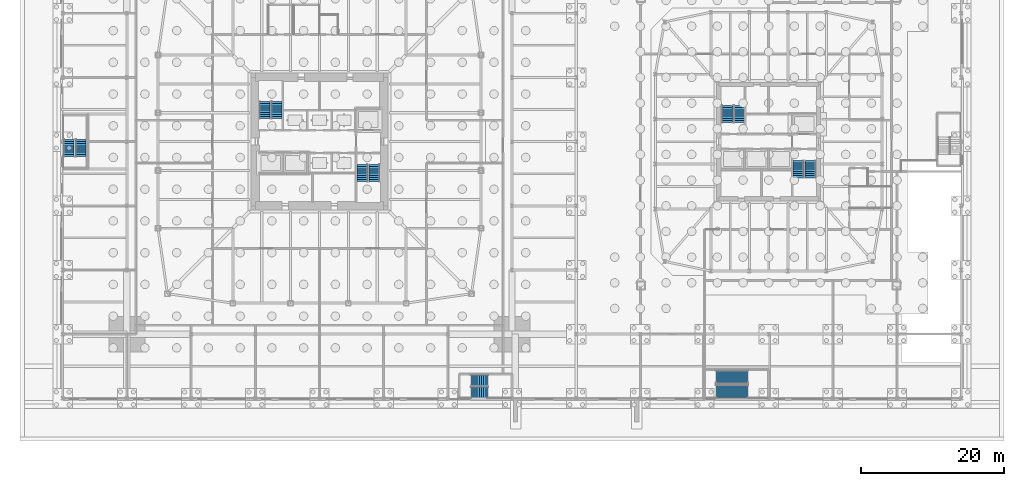
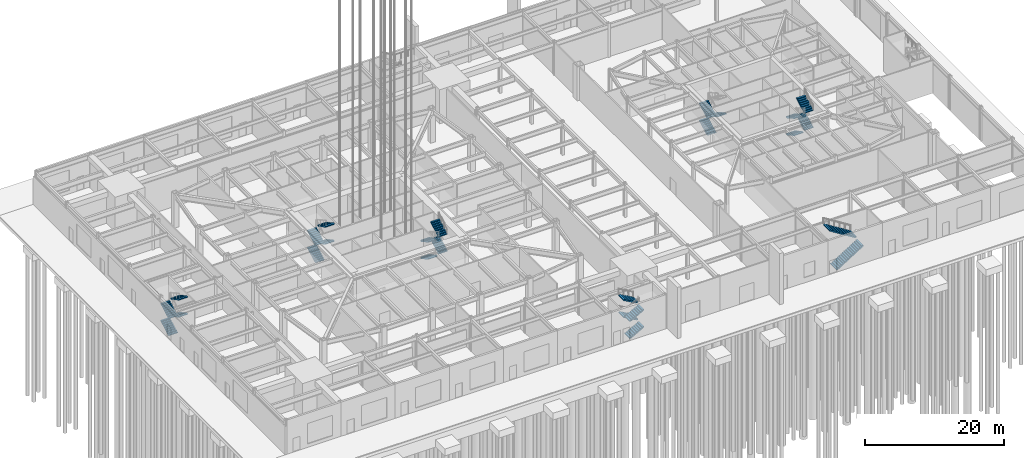
# One storey, part 21 of 37: 25 stair flights, 7 elements without a shape of their own.
"""IFC4 building model written with IfcOpenShell, lengths in metres."""

from ifc_helpers import new_model, si_unit, direction, frame, origin, place, context, subcontext, project, spatial, polyline, outline, extrude, material, constituent, constituent_set, type_object, element, aggregate, save


model = new_model("IFC4")

# Units and contexts
model_context = context("Model", 3, precision=1e-05, world=origin(), true_north=direction((0.0, 1.0)))
body_context = subcontext(model_context, "Body", "Model", "MODEL_VIEW")
ifc_project = project(units=[si_unit("LENGTHUNIT", "METRE"), si_unit("AREAUNIT", "SQUARE_METRE"), si_unit("VOLUMEUNIT", "CUBIC_METRE"), si_unit("PLANEANGLEUNIT", "RADIAN"), si_unit("MASSUNIT", "GRAM", prefix="KILO")], contexts=[model_context])

# Site, building, storey
site_placement = place(None, origin())
site = spatial("IfcSite", under=ifc_project, at=site_placement, CompositionType="ELEMENT")
building_placement = place(site_placement, origin())
building = spatial("IfcBuilding", under=site, at=building_placement, Name="Iwan Alto Co-Living Towers", CompositionType="ELEMENT")
storey_placement = place(building_placement, origin())
storey = spatial("IfcBuildingStorey", under=building, at=storey_placement, Name="L00", CompositionType="ELEMENT", Elevation=0.0)

# Stair, stair flights
ifc_material_1 = material(Name="Steel ASTM A36", Category="steel")
ifc_constituent_1 = constituent(ifc_material_1, Name="Stringers", Category="LoadBearing")
ifc_material_2 = material(Name="Concrete f'c 30 MPa", Category="concrete")
ifc_constituent_2 = constituent(ifc_material_2, Name="Tread fill", Category="Finish")
ifc_constituent_set_1 = constituent_set(constituents=[ifc_constituent_1, ifc_constituent_2], Name="STAIR 6000 TWO-FLIGHT PODIUM 1800 WIDE")
stair_type_1 = type_object("IfcStairType", Name="STAIR 6000 TWO-FLIGHT PODIUM 1800 WIDE", PredefinedType="HALF_TURN_STAIR", material=ifc_constituent_set_1)
stair_1_placement = place(storey_placement, origin())
stair_1 = element("IfcStair", 1, at=stair_1_placement, inside=storey, type_object=stair_type_1, Name="Stair PS6 L00 to L01", PredefinedType="HALF_TURN_STAIR")
ifc_constituent_3 = constituent(ifc_material_1, Name="Stringers", Category="LoadBearing")
ifc_constituent_4 = constituent(ifc_material_2, Name="Tread fill", Category="Finish")
ifc_constituent_set_2 = constituent_set(constituents=[ifc_constituent_3, ifc_constituent_4], Name="STAIR FLIGHT 17 RISERS 280 GOING 1800 WIDE")
stair_flight_type_1 = type_object("IfcStairFlightType", Name="STAIR FLIGHT 17 RISERS 280 GOING 1800 WIDE", PredefinedType="STRAIGHT", material=ifc_constituent_set_2)
stair_flight_1_placement = place(storey_placement, frame((55.6201171875, -34.97998046875, 0.0), z_axis=(0.0, 0.0, 1.0), x_axis=(1.0, 0.0, 0.0)))
stair_flight_1 = element("IfcStairFlight", 2, at=stair_flight_1_placement, type_object=stair_flight_type_1, Name="PS6 flight 1", NumberOfRisers=17, NumberOfTreads=16, PredefinedType="STRAIGHT", RiserHeight=0.176471, TreadLength=0.28, context=body_context, shape_type="SweptSolid", body=[
    extrude(outline(polyline([(0.0, 0.0), (0.0, 0.176513671875), (0.280029296875, 0.176513671875), (0.280029296875, 0.35302734375), (0.56005859375, 0.35302734375), (0.56005859375, 0.529296875), (0.840087890625, 0.529296875), (0.840087890625, 0.705810546875), (1.1201171875, 0.705810546875), (1.1201171875, 0.88232421875), (1.39990234375, 0.88232421875), (1.39990234375, 1.058837890625), (1.679931640625, 1.058837890625), (1.679931640625, 1.2353515625), (1.9599609375, 1.2353515625), (1.9599609375, 1.411865234375), (2.239990234375, 1.411865234375), (2.239990234375, 1.588134765625), (2.52001953125, 1.588134765625), (2.52001953125, 1.7646484375), (2.800048828125, 1.7646484375), (2.800048828125, 1.941162109375), (3.080078125, 1.941162109375), (3.080078125, 2.11767578125), (3.360107421875, 2.11767578125), (3.360107421875, 2.294189453125), (3.639892578125, 2.294189453125), (3.639892578125, 2.470703125), (3.919921875, 2.470703125), (3.919921875, 2.64697265625), (4.199951171875, 2.64697265625), (4.199951171875, 2.823486328125), (4.47998046875, 2.823486328125), (4.47998046875, 3.0), (4.47998046875, 2.646240234375), (0.28125, 0.0), (0.0, 0.0)])), frame((0.0, 0.89990234375, 0.0), z_axis=(0.0, -1.0, 0.0), x_axis=(1.0, 0.0, 0.0)), (0.0, 0.0, 1.0), 1.800048828125),
])
stair_flight_2_placement = place(storey_placement, frame((60.10009765625, -32.97998046875, 3.0), z_axis=(0.0, 0.0, 1.0), x_axis=(-1.0, 0.0, 0.0)))
stair_flight_2 = element("IfcStairFlight", 3, at=stair_flight_2_placement, type_object=stair_flight_type_1, Name="PS6 flight 2", NumberOfRisers=17, NumberOfTreads=16, PredefinedType="STRAIGHT", RiserHeight=0.176471, TreadLength=0.28, context=body_context, shape_type="SweptSolid", body=[
    extrude(outline(polyline([(0.0, 0.0), (0.0, 0.176513671875), (0.280029296875, 0.176513671875), (0.280029296875, 0.35302734375), (0.56005859375, 0.35302734375), (0.56005859375, 0.529296875), (0.840087890625, 0.529296875), (0.840087890625, 0.705810546875), (1.1201171875, 0.705810546875), (1.1201171875, 0.88232421875), (1.39990234375, 0.88232421875), (1.39990234375, 1.058837890625), (1.679931640625, 1.058837890625), (1.679931640625, 1.2353515625), (1.9599609375, 1.2353515625), (1.9599609375, 1.411865234375), (2.239990234375, 1.411865234375), (2.239990234375, 1.588134765625), (2.52001953125, 1.588134765625), (2.52001953125, 1.7646484375), (2.800048828125, 1.7646484375), (2.800048828125, 1.941162109375), (3.080078125, 1.941162109375), (3.080078125, 2.11767578125), (3.360107421875, 2.11767578125), (3.360107421875, 2.294189453125), (3.639892578125, 2.294189453125), (3.639892578125, 2.470703125), (3.919921875, 2.470703125), (3.919921875, 2.64697265625), (4.199951171875, 2.64697265625), (4.199951171875, 2.823486328125), (4.47998046875, 2.823486328125), (4.47998046875, 3.0), (4.47998046875, 2.646240234375), (0.28125, 0.0), (0.0, 0.0)])), frame((0.0, 0.89990234375, 0.0), z_axis=(0.0, -1.0, 0.0), x_axis=(1.0, 0.0, 0.0)), (0.0, 0.0, 1.0), 1.800048828125),
])
aggregate(stair_1, [stair_flight_1, stair_flight_2])

ifc_constituent_5 = constituent(ifc_material_1, Name="Stringers", Category="LoadBearing")
ifc_constituent_6 = constituent(ifc_material_2, Name="Tread fill", Category="Finish")
ifc_constituent_set_3 = constituent_set(constituents=[ifc_constituent_5, ifc_constituent_6], Name="STAIR 6000 FOUR-FLIGHT PODIUM")
stair_type_2 = type_object("IfcStairType", Name="STAIR 6000 FOUR-FLIGHT PODIUM", PredefinedType="HALF_TURN_STAIR", material=ifc_constituent_set_3)
stair_2_placement = place(storey_placement, origin())
stair_2 = element("IfcStair", 4, at=stair_2_placement, inside=storey, type_object=stair_type_2, Name="Stair PS1 L00 to L01", PredefinedType="HALF_TURN_STAIR")
ifc_constituent_7 = constituent(ifc_material_1, Name="Stringers", Category="LoadBearing")
ifc_constituent_8 = constituent(ifc_material_2, Name="Tread fill", Category="Finish")
ifc_constituent_set_4 = constituent_set(constituents=[ifc_constituent_7, ifc_constituent_8], Name="STAIR FLIGHT 9 RISERS 300 GOING")
stair_flight_type_2 = type_object("IfcStairFlightType", Name="STAIR FLIGHT 9 RISERS 300 GOING", PredefinedType="STRAIGHT", material=ifc_constituent_set_4)
stair_flight_3_placement = place(storey_placement, frame((-35.139892578125, -2.080078125, 0.0), z_axis=(0.0, 0.0, 1.0), x_axis=(0.0, 1.0, 0.0)))
stair_flight_3 = element("IfcStairFlight", 5, at=stair_flight_3_placement, type_object=stair_flight_type_2, Name="PS1 flight 1", NumberOfRisers=9, NumberOfTreads=8, PredefinedType="STRAIGHT", RiserHeight=0.166667, TreadLength=0.3, context=body_context, shape_type="SweptSolid", body=[
    extrude(outline(polyline([(0.0, 0.0), (0.0, 0.166748046875), (0.300048828125, 0.166748046875), (0.300048828125, 0.333251953125), (0.60009765625, 0.333251953125), (0.60009765625, 0.5), (0.89990234375, 0.5), (0.89990234375, 0.666748046875), (1.199951171875, 0.666748046875), (1.199951171875, 0.833251953125), (1.5, 0.833251953125), (1.5, 1.0), (1.800048828125, 1.0), (1.800048828125, 1.166748046875), (2.10009765625, 1.166748046875), (2.10009765625, 1.333251953125), (2.39990234375, 1.333251953125), (2.39990234375, 1.5), (2.39990234375, 1.161865234375), (0.30859375, 0.0), (0.0, 0.0)])), frame((0.0, 0.739990234375, 0.0), z_axis=(0.0, -1.0, 0.0), x_axis=(1.0, 0.0, 0.0)), (0.0, 0.0, 1.0), 1.47998046875),
])
stair_flight_4_placement = place(storey_placement, frame((-33.4599609375, 0.320068359375, 1.5), z_axis=(0.0, 0.0, 1.0), x_axis=(0.0, -1.0, 0.0)))
stair_flight_4 = element("IfcStairFlight", 6, at=stair_flight_4_placement, type_object=stair_flight_type_2, Name="PS1 flight 2", NumberOfRisers=9, NumberOfTreads=8, PredefinedType="STRAIGHT", RiserHeight=0.166667, TreadLength=0.3, context=body_context, shape_type="SweptSolid", body=[
    extrude(outline(polyline([(0.0, 0.0), (0.0, 0.166748046875), (0.300048828125, 0.166748046875), (0.300048828125, 0.333251953125), (0.60009765625, 0.333251953125), (0.60009765625, 0.5), (0.89990234375, 0.5), (0.89990234375, 0.666748046875), (1.199951171875, 0.666748046875), (1.199951171875, 0.833251953125), (1.5, 0.833251953125), (1.5, 1.0), (1.800048828125, 1.0), (1.800048828125, 1.166748046875), (2.10009765625, 1.166748046875), (2.10009765625, 1.333251953125), (2.39990234375, 1.333251953125), (2.39990234375, 1.5), (2.39990234375, 1.161865234375), (0.30859375, 0.0), (0.0, 0.0)])), frame((0.0, 0.739990234375, 0.0), z_axis=(0.0, -1.0, 0.0), x_axis=(1.0, 0.0, 0.0)), (0.0, 0.0, 1.0), 1.47998046875),
])
stair_flight_5_placement = place(storey_placement, frame((-35.139892578125, -2.080078125, 3.0), z_axis=(0.0, 0.0, 1.0), x_axis=(0.0, 1.0, 0.0)))
stair_flight_5 = element("IfcStairFlight", 7, at=stair_flight_5_placement, type_object=stair_flight_type_2, Name="PS1 flight 3", NumberOfRisers=9, NumberOfTreads=8, PredefinedType="STRAIGHT", RiserHeight=0.166667, TreadLength=0.3, context=body_context, shape_type="SweptSolid", body=[
    extrude(outline(polyline([(0.0, 0.0), (0.0, 0.166748046875), (0.300048828125, 0.166748046875), (0.300048828125, 0.333251953125), (0.60009765625, 0.333251953125), (0.60009765625, 0.5), (0.89990234375, 0.5), (0.89990234375, 0.666748046875), (1.199951171875, 0.666748046875), (1.199951171875, 0.833251953125), (1.5, 0.833251953125), (1.5, 1.0), (1.800048828125, 1.0), (1.800048828125, 1.166748046875), (2.10009765625, 1.166748046875), (2.10009765625, 1.333251953125), (2.39990234375, 1.333251953125), (2.39990234375, 1.5), (2.39990234375, 1.161865234375), (0.30859375, 0.0), (0.0, 0.0)])), frame((0.0, 0.739990234375, 0.0), z_axis=(0.0, -1.0, 0.0), x_axis=(1.0, 0.0, 0.0)), (0.0, 0.0, 1.0), 1.47998046875),
])
stair_flight_6_placement = place(storey_placement, frame((-33.4599609375, 0.320068359375, 4.5), z_axis=(0.0, 0.0, 1.0), x_axis=(0.0, -1.0, 0.0)))
stair_flight_6 = element("IfcStairFlight", 8, at=stair_flight_6_placement, type_object=stair_flight_type_2, Name="PS1 flight 4", NumberOfRisers=9, NumberOfTreads=8, PredefinedType="STRAIGHT", RiserHeight=0.166667, TreadLength=0.3, context=body_context, shape_type="SweptSolid", body=[
    extrude(outline(polyline([(0.0, 0.0), (0.0, 0.166748046875), (0.300048828125, 0.166748046875), (0.300048828125, 0.333251953125), (0.60009765625, 0.333251953125), (0.60009765625, 0.5), (0.89990234375, 0.5), (0.89990234375, 0.666748046875), (1.199951171875, 0.666748046875), (1.199951171875, 0.833251953125), (1.5, 0.833251953125), (1.5, 1.0), (1.800048828125, 1.0), (1.800048828125, 1.166748046875), (2.10009765625, 1.166748046875), (2.10009765625, 1.333251953125), (2.39990234375, 1.333251953125), (2.39990234375, 1.5), (2.39990234375, 1.161865234375), (0.30859375, 0.0), (0.0, 0.0)])), frame((0.0, 0.739990234375, 0.0), z_axis=(0.0, -1.0, 0.0), x_axis=(1.0, 0.0, 0.0)), (0.0, 0.0, 1.0), 1.47998046875),
])
aggregate(stair_2, [stair_flight_3, stair_flight_4, stair_flight_5, stair_flight_6])

stair_3_placement = place(storey_placement, origin())
stair_3 = element("IfcStair", 9, at=stair_3_placement, inside=storey, type_object=stair_type_2, Name="Stair PS4 L00 to L01", PredefinedType="HALF_TURN_STAIR")
stair_flight_7_placement = place(storey_placement, frame((21.219970703125, -35.139892578125, 0.0), z_axis=(0.0, 0.0, 1.0), x_axis=(1.0, 0.0, 0.0)))
stair_flight_7 = element("IfcStairFlight", 10, at=stair_flight_7_placement, type_object=stair_flight_type_2, Name="PS4 flight 1", NumberOfRisers=9, NumberOfTreads=8, PredefinedType="STRAIGHT", RiserHeight=0.166667, TreadLength=0.3, context=body_context, shape_type="SweptSolid", body=[
    extrude(outline(polyline([(0.0, 0.0), (0.0, 0.166748046875), (0.300048828125, 0.166748046875), (0.300048828125, 0.333251953125), (0.60009765625, 0.333251953125), (0.60009765625, 0.5), (0.89990234375, 0.5), (0.89990234375, 0.666748046875), (1.199951171875, 0.666748046875), (1.199951171875, 0.833251953125), (1.5, 0.833251953125), (1.5, 1.0), (1.800048828125, 1.0), (1.800048828125, 1.166748046875), (2.10009765625, 1.166748046875), (2.10009765625, 1.333251953125), (2.39990234375, 1.333251953125), (2.39990234375, 1.5), (2.39990234375, 1.161865234375), (0.30859375, 0.0), (0.0, 0.0)])), frame((0.0, 0.739990234375, 0.0), z_axis=(0.0, -1.0, 0.0), x_axis=(1.0, 0.0, 0.0)), (0.0, 0.0, 1.0), 1.47998046875),
])
stair_flight_8_placement = place(storey_placement, frame((23.6201171875, -33.4599609375, 1.5), z_axis=(0.0, 0.0, 1.0), x_axis=(-1.0, 0.0, 0.0)))
stair_flight_8 = element("IfcStairFlight", 11, at=stair_flight_8_placement, type_object=stair_flight_type_2, Name="PS4 flight 2", NumberOfRisers=9, NumberOfTreads=8, PredefinedType="STRAIGHT", RiserHeight=0.166667, TreadLength=0.3, context=body_context, shape_type="SweptSolid", body=[
    extrude(outline(polyline([(0.0, 0.0), (0.0, 0.166748046875), (0.300048828125, 0.166748046875), (0.300048828125, 0.333251953125), (0.60009765625, 0.333251953125), (0.60009765625, 0.5), (0.89990234375, 0.5), (0.89990234375, 0.666748046875), (1.199951171875, 0.666748046875), (1.199951171875, 0.833251953125), (1.5, 0.833251953125), (1.5, 1.0), (1.800048828125, 1.0), (1.800048828125, 1.166748046875), (2.10009765625, 1.166748046875), (2.10009765625, 1.333251953125), (2.39990234375, 1.333251953125), (2.39990234375, 1.5), (2.39990234375, 1.161865234375), (0.30859375, 0.0), (0.0, 0.0)])), frame((0.0, 0.739990234375, 0.0), z_axis=(0.0, -1.0, 0.0), x_axis=(1.0, 0.0, 0.0)), (0.0, 0.0, 1.0), 1.47998046875),
])
stair_flight_9_placement = place(storey_placement, frame((21.219970703125, -35.139892578125, 3.0), z_axis=(0.0, 0.0, 1.0), x_axis=(1.0, 0.0, 0.0)))
stair_flight_9 = element("IfcStairFlight", 12, at=stair_flight_9_placement, type_object=stair_flight_type_2, Name="PS4 flight 3", NumberOfRisers=9, NumberOfTreads=8, PredefinedType="STRAIGHT", RiserHeight=0.166667, TreadLength=0.3, context=body_context, shape_type="SweptSolid", body=[
    extrude(outline(polyline([(0.0, 0.0), (0.0, 0.166748046875), (0.300048828125, 0.166748046875), (0.300048828125, 0.333251953125), (0.60009765625, 0.333251953125), (0.60009765625, 0.5), (0.89990234375, 0.5), (0.89990234375, 0.666748046875), (1.199951171875, 0.666748046875), (1.199951171875, 0.833251953125), (1.5, 0.833251953125), (1.5, 1.0), (1.800048828125, 1.0), (1.800048828125, 1.166748046875), (2.10009765625, 1.166748046875), (2.10009765625, 1.333251953125), (2.39990234375, 1.333251953125), (2.39990234375, 1.5), (2.39990234375, 1.161865234375), (0.30859375, 0.0), (0.0, 0.0)])), frame((0.0, 0.739990234375, 0.0), z_axis=(0.0, -1.0, 0.0), x_axis=(1.0, 0.0, 0.0)), (0.0, 0.0, 1.0), 1.47998046875),
])
stair_flight_10_placement = place(storey_placement, frame((23.6201171875, -33.4599609375, 4.5), z_axis=(0.0, 0.0, 1.0), x_axis=(-1.0, 0.0, 0.0)))
stair_flight_10 = element("IfcStairFlight", 13, at=stair_flight_10_placement, type_object=stair_flight_type_2, Name="PS4 flight 4", NumberOfRisers=9, NumberOfTreads=8, PredefinedType="STRAIGHT", RiserHeight=0.166667, TreadLength=0.3, context=body_context, shape_type="SweptSolid", body=[
    extrude(outline(polyline([(0.0, 0.0), (0.0, 0.166748046875), (0.300048828125, 0.166748046875), (0.300048828125, 0.333251953125), (0.60009765625, 0.333251953125), (0.60009765625, 0.5), (0.89990234375, 0.5), (0.89990234375, 0.666748046875), (1.199951171875, 0.666748046875), (1.199951171875, 0.833251953125), (1.5, 0.833251953125), (1.5, 1.0), (1.800048828125, 1.0), (1.800048828125, 1.166748046875), (2.10009765625, 1.166748046875), (2.10009765625, 1.333251953125), (2.39990234375, 1.333251953125), (2.39990234375, 1.5), (2.39990234375, 1.161865234375), (0.30859375, 0.0), (0.0, 0.0)])), frame((0.0, 0.739990234375, 0.0), z_axis=(0.0, -1.0, 0.0), x_axis=(1.0, 0.0, 0.0)), (0.0, 0.0, 1.0), 1.47998046875),
])
aggregate(stair_3, [stair_flight_7, stair_flight_8, stair_flight_9, stair_flight_10])

ifc_constituent_9 = constituent(ifc_material_1, Name="Stringers", Category="LoadBearing")
ifc_constituent_10 = constituent(ifc_material_2, Name="Tread fill", Category="Finish")
ifc_constituent_set_5 = constituent_set(constituents=[ifc_constituent_9, ifc_constituent_10], Name="STAIR 6000 FOUR-FLIGHT T1 CORE")
stair_type_3 = type_object("IfcStairType", Name="STAIR 6000 FOUR-FLIGHT T1 CORE", PredefinedType="HALF_TURN_STAIR", material=ifc_constituent_set_5)
stair_4_placement = place(storey_placement, origin())
stair_4 = element("IfcStair", 14, at=stair_4_placement, inside=storey, type_object=stair_type_3, Name="Stair T1-S1 L00 to L01", PredefinedType="HALF_TURN_STAIR")
stair_flight_11_placement = place(storey_placement, frame((-7.68994140625, 3.219970703125, 0.0), z_axis=(0.0, 0.0, 1.0), x_axis=(0.0, 1.0, 0.0)))
stair_flight_11 = element("IfcStairFlight", 15, at=stair_flight_11_placement, type_object=stair_flight_type_2, Name="T1-S1 flight 1", NumberOfRisers=9, NumberOfTreads=8, PredefinedType="STRAIGHT", RiserHeight=0.166667, TreadLength=0.3, context=body_context, shape_type="SweptSolid", body=[
    extrude(outline(polyline([(0.0, 0.0), (0.0, 0.166748046875), (0.300048828125, 0.166748046875), (0.300048828125, 0.333251953125), (0.60009765625, 0.333251953125), (0.60009765625, 0.5), (0.89990234375, 0.5), (0.89990234375, 0.666748046875), (1.199951171875, 0.666748046875), (1.199951171875, 0.833251953125), (1.5, 0.833251953125), (1.5, 1.0), (1.800048828125, 1.0), (1.800048828125, 1.166748046875), (2.10009765625, 1.166748046875), (2.10009765625, 1.333251953125), (2.39990234375, 1.333251953125), (2.39990234375, 1.5), (2.39990234375, 1.161865234375), (0.30859375, 0.0), (0.0, 0.0)])), frame((0.0, 0.739990234375, 0.0), z_axis=(0.0, -1.0, 0.0), x_axis=(1.0, 0.0, 0.0)), (0.0, 0.0, 1.0), 1.47998046875),
])
stair_flight_12_placement = place(storey_placement, frame((-6.010009765625, 5.6201171875, 1.5), z_axis=(0.0, 0.0, 1.0), x_axis=(0.0, -1.0, 0.0)))
stair_flight_12 = element("IfcStairFlight", 16, at=stair_flight_12_placement, type_object=stair_flight_type_2, Name="T1-S1 flight 2", NumberOfRisers=9, NumberOfTreads=8, PredefinedType="STRAIGHT", RiserHeight=0.166667, TreadLength=0.3, context=body_context, shape_type="SweptSolid", body=[
    extrude(outline(polyline([(0.0, 0.0), (0.0, 0.166748046875), (0.300048828125, 0.166748046875), (0.300048828125, 0.333251953125), (0.60009765625, 0.333251953125), (0.60009765625, 0.5), (0.89990234375, 0.5), (0.89990234375, 0.666748046875), (1.199951171875, 0.666748046875), (1.199951171875, 0.833251953125), (1.5, 0.833251953125), (1.5, 1.0), (1.800048828125, 1.0), (1.800048828125, 1.166748046875), (2.10009765625, 1.166748046875), (2.10009765625, 1.333251953125), (2.39990234375, 1.333251953125), (2.39990234375, 1.5), (2.39990234375, 1.161865234375), (0.30859375, 0.0), (0.0, 0.0)])), frame((0.0, 0.739990234375, 0.0), z_axis=(0.0, -1.0, 0.0), x_axis=(1.0, 0.0, 0.0)), (0.0, 0.0, 1.0), 1.47998046875),
])
stair_flight_13_placement = place(storey_placement, frame((-7.68994140625, 3.219970703125, 3.0), z_axis=(0.0, 0.0, 1.0), x_axis=(0.0, 1.0, 0.0)))
stair_flight_13 = element("IfcStairFlight", 17, at=stair_flight_13_placement, type_object=stair_flight_type_2, Name="T1-S1 flight 3", NumberOfRisers=9, NumberOfTreads=8, PredefinedType="STRAIGHT", RiserHeight=0.166667, TreadLength=0.3, context=body_context, shape_type="SweptSolid", body=[
    extrude(outline(polyline([(0.0, 0.0), (0.0, 0.166748046875), (0.300048828125, 0.166748046875), (0.300048828125, 0.333251953125), (0.60009765625, 0.333251953125), (0.60009765625, 0.5), (0.89990234375, 0.5), (0.89990234375, 0.666748046875), (1.199951171875, 0.666748046875), (1.199951171875, 0.833251953125), (1.5, 0.833251953125), (1.5, 1.0), (1.800048828125, 1.0), (1.800048828125, 1.166748046875), (2.10009765625, 1.166748046875), (2.10009765625, 1.333251953125), (2.39990234375, 1.333251953125), (2.39990234375, 1.5), (2.39990234375, 1.161865234375), (0.30859375, 0.0), (0.0, 0.0)])), frame((0.0, 0.739990234375, 0.0), z_axis=(0.0, -1.0, 0.0), x_axis=(1.0, 0.0, 0.0)), (0.0, 0.0, 1.0), 1.47998046875),
])
stair_flight_14_placement = place(storey_placement, frame((-6.010009765625, 5.6201171875, 4.5), z_axis=(0.0, 0.0, 1.0), x_axis=(0.0, -1.0, 0.0)))
stair_flight_14 = element("IfcStairFlight", 18, at=stair_flight_14_placement, type_object=stair_flight_type_2, Name="T1-S1 flight 4", NumberOfRisers=9, NumberOfTreads=8, PredefinedType="STRAIGHT", RiserHeight=0.166667, TreadLength=0.3, context=body_context, shape_type="SweptSolid", body=[
    extrude(outline(polyline([(0.0, 0.0), (0.0, 0.166748046875), (0.300048828125, 0.166748046875), (0.300048828125, 0.333251953125), (0.60009765625, 0.333251953125), (0.60009765625, 0.5), (0.89990234375, 0.5), (0.89990234375, 0.666748046875), (1.199951171875, 0.666748046875), (1.199951171875, 0.833251953125), (1.5, 0.833251953125), (1.5, 1.0), (1.800048828125, 1.0), (1.800048828125, 1.166748046875), (2.10009765625, 1.166748046875), (2.10009765625, 1.333251953125), (2.39990234375, 1.333251953125), (2.39990234375, 1.5), (2.39990234375, 1.161865234375), (0.30859375, 0.0), (0.0, 0.0)])), frame((0.0, 0.739990234375, 0.0), z_axis=(0.0, -1.0, 0.0), x_axis=(1.0, 0.0, 0.0)), (0.0, 0.0, 1.0), 1.47998046875),
])
aggregate(stair_4, [stair_flight_11, stair_flight_12, stair_flight_13, stair_flight_14])

stair_5_placement = place(storey_placement, origin())
stair_5 = element("IfcStair", 19, at=stair_5_placement, inside=storey, type_object=stair_type_3, Name="Stair T1-S2 L00 to L01", PredefinedType="HALF_TURN_STAIR")
stair_flight_15_placement = place(storey_placement, frame((6.010009765625, -3.219970703125, 0.0), z_axis=(0.0, 0.0, 1.0), x_axis=(0.0, -1.0, 0.0)))
stair_flight_15 = element("IfcStairFlight", 20, at=stair_flight_15_placement, type_object=stair_flight_type_2, Name="T1-S2 flight 1", NumberOfRisers=9, NumberOfTreads=8, PredefinedType="STRAIGHT", RiserHeight=0.166667, TreadLength=0.3, context=body_context, shape_type="SweptSolid", body=[
    extrude(outline(polyline([(0.0, 0.0), (0.0, 0.166748046875), (0.300048828125, 0.166748046875), (0.300048828125, 0.333251953125), (0.60009765625, 0.333251953125), (0.60009765625, 0.5), (0.89990234375, 0.5), (0.89990234375, 0.666748046875), (1.199951171875, 0.666748046875), (1.199951171875, 0.833251953125), (1.5, 0.833251953125), (1.5, 1.0), (1.800048828125, 1.0), (1.800048828125, 1.166748046875), (2.10009765625, 1.166748046875), (2.10009765625, 1.333251953125), (2.39990234375, 1.333251953125), (2.39990234375, 1.5), (2.39990234375, 1.161865234375), (0.30859375, 0.0), (0.0, 0.0)])), frame((0.0, 0.739990234375, 0.0), z_axis=(0.0, -1.0, 0.0), x_axis=(1.0, 0.0, 0.0)), (0.0, 0.0, 1.0), 1.47998046875),
])
stair_flight_16_placement = place(storey_placement, frame((7.68994140625, -5.6201171875, 1.5), z_axis=(0.0, 0.0, 1.0), x_axis=(0.0, 1.0, 0.0)))
stair_flight_16 = element("IfcStairFlight", 21, at=stair_flight_16_placement, type_object=stair_flight_type_2, Name="T1-S2 flight 2", NumberOfRisers=9, NumberOfTreads=8, PredefinedType="STRAIGHT", RiserHeight=0.166667, TreadLength=0.3, context=body_context, shape_type="SweptSolid", body=[
    extrude(outline(polyline([(0.0, 0.0), (0.0, 0.166748046875), (0.300048828125, 0.166748046875), (0.300048828125, 0.333251953125), (0.60009765625, 0.333251953125), (0.60009765625, 0.5), (0.89990234375, 0.5), (0.89990234375, 0.666748046875), (1.199951171875, 0.666748046875), (1.199951171875, 0.833251953125), (1.5, 0.833251953125), (1.5, 1.0), (1.800048828125, 1.0), (1.800048828125, 1.166748046875), (2.10009765625, 1.166748046875), (2.10009765625, 1.333251953125), (2.39990234375, 1.333251953125), (2.39990234375, 1.5), (2.39990234375, 1.161865234375), (0.30859375, 0.0), (0.0, 0.0)])), frame((0.0, 0.739990234375, 0.0), z_axis=(0.0, -1.0, 0.0), x_axis=(1.0, 0.0, 0.0)), (0.0, 0.0, 1.0), 1.47998046875),
])
stair_flight_17_placement = place(storey_placement, frame((6.010009765625, -3.219970703125, 3.0), z_axis=(0.0, 0.0, 1.0), x_axis=(0.0, -1.0, 0.0)))
stair_flight_17 = element("IfcStairFlight", 22, at=stair_flight_17_placement, type_object=stair_flight_type_2, Name="T1-S2 flight 3", NumberOfRisers=9, NumberOfTreads=8, PredefinedType="STRAIGHT", RiserHeight=0.166667, TreadLength=0.3, context=body_context, shape_type="SweptSolid", body=[
    extrude(outline(polyline([(0.0, 0.0), (0.0, 0.166748046875), (0.300048828125, 0.166748046875), (0.300048828125, 0.333251953125), (0.60009765625, 0.333251953125), (0.60009765625, 0.5), (0.89990234375, 0.5), (0.89990234375, 0.666748046875), (1.199951171875, 0.666748046875), (1.199951171875, 0.833251953125), (1.5, 0.833251953125), (1.5, 1.0), (1.800048828125, 1.0), (1.800048828125, 1.166748046875), (2.10009765625, 1.166748046875), (2.10009765625, 1.333251953125), (2.39990234375, 1.333251953125), (2.39990234375, 1.5), (2.39990234375, 1.161865234375), (0.30859375, 0.0), (0.0, 0.0)])), frame((0.0, 0.739990234375, 0.0), z_axis=(0.0, -1.0, 0.0), x_axis=(1.0, 0.0, 0.0)), (0.0, 0.0, 1.0), 1.47998046875),
])
stair_flight_18_placement = place(storey_placement, frame((7.68994140625, -5.6201171875, 4.5), z_axis=(0.0, 0.0, 1.0), x_axis=(0.0, 1.0, 0.0)))
stair_flight_18 = element("IfcStairFlight", 23, at=stair_flight_18_placement, type_object=stair_flight_type_2, Name="T1-S2 flight 4", NumberOfRisers=9, NumberOfTreads=8, PredefinedType="STRAIGHT", RiserHeight=0.166667, TreadLength=0.3, context=body_context, shape_type="SweptSolid", body=[
    extrude(outline(polyline([(0.0, 0.0), (0.0, 0.166748046875), (0.300048828125, 0.166748046875), (0.300048828125, 0.333251953125), (0.60009765625, 0.333251953125), (0.60009765625, 0.5), (0.89990234375, 0.5), (0.89990234375, 0.666748046875), (1.199951171875, 0.666748046875), (1.199951171875, 0.833251953125), (1.5, 0.833251953125), (1.5, 1.0), (1.800048828125, 1.0), (1.800048828125, 1.166748046875), (2.10009765625, 1.166748046875), (2.10009765625, 1.333251953125), (2.39990234375, 1.333251953125), (2.39990234375, 1.5), (2.39990234375, 1.161865234375), (0.30859375, 0.0), (0.0, 0.0)])), frame((0.0, 0.739990234375, 0.0), z_axis=(0.0, -1.0, 0.0), x_axis=(1.0, 0.0, 0.0)), (0.0, 0.0, 1.0), 1.47998046875),
])
aggregate(stair_5, [stair_flight_15, stair_flight_16, stair_flight_17, stair_flight_18])

ifc_constituent_11 = constituent(ifc_material_1, Name="Stringers", Category="LoadBearing")
ifc_constituent_12 = constituent(ifc_material_2, Name="Tread fill", Category="Finish")
ifc_constituent_set_6 = constituent_set(constituents=[ifc_constituent_11, ifc_constituent_12], Name="STAIR 6000 FOUR-FLIGHT T2 CORE")
stair_type_4 = type_object("IfcStairType", Name="STAIR 6000 FOUR-FLIGHT T2 CORE", PredefinedType="HALF_TURN_STAIR", material=ifc_constituent_set_6)
stair_6_placement = place(storey_placement, origin())
stair_6 = element("IfcStair", 24, at=stair_6_placement, inside=storey, type_object=stair_type_4, Name="Stair T2-S1 L00 to L01", PredefinedType="HALF_TURN_STAIR")
stair_flight_19_placement = place(storey_placement, frame((57.159912109375, 2.669921875, 0.0), z_axis=(0.0, 0.0, 1.0), x_axis=(0.0, 1.0, 0.0)))
stair_flight_19 = element("IfcStairFlight", 25, at=stair_flight_19_placement, type_object=stair_flight_type_2, Name="T2-S1 flight 1", NumberOfRisers=9, NumberOfTreads=8, PredefinedType="STRAIGHT", RiserHeight=0.166667, TreadLength=0.3, context=body_context, shape_type="SweptSolid", body=[
    extrude(outline(polyline([(0.0, 0.0), (0.0, 0.166748046875), (0.300048828125, 0.166748046875), (0.300048828125, 0.333251953125), (0.60009765625, 0.333251953125), (0.60009765625, 0.5), (0.89990234375, 0.5), (0.89990234375, 0.666748046875), (1.199951171875, 0.666748046875), (1.199951171875, 0.833251953125), (1.5, 0.833251953125), (1.5, 1.0), (1.800048828125, 1.0), (1.800048828125, 1.166748046875), (2.10009765625, 1.166748046875), (2.10009765625, 1.333251953125), (2.39990234375, 1.333251953125), (2.39990234375, 1.5), (2.39990234375, 1.161865234375), (0.30859375, 0.0), (0.0, 0.0)])), frame((0.0, 0.739990234375, 0.0), z_axis=(0.0, -1.0, 0.0), x_axis=(1.0, 0.0, 0.0)), (0.0, 0.0, 1.0), 1.47998046875),
])
stair_flight_20_placement = place(storey_placement, frame((58.840087890625, 5.070068359375, 1.5), z_axis=(0.0, 0.0, 1.0), x_axis=(0.0, -1.0, 0.0)))
stair_flight_20 = element("IfcStairFlight", 26, at=stair_flight_20_placement, type_object=stair_flight_type_2, Name="T2-S1 flight 2", NumberOfRisers=9, NumberOfTreads=8, PredefinedType="STRAIGHT", RiserHeight=0.166667, TreadLength=0.3, context=body_context, shape_type="SweptSolid", body=[
    extrude(outline(polyline([(0.0, 0.0), (0.0, 0.166748046875), (0.300048828125, 0.166748046875), (0.300048828125, 0.333251953125), (0.60009765625, 0.333251953125), (0.60009765625, 0.5), (0.89990234375, 0.5), (0.89990234375, 0.666748046875), (1.199951171875, 0.666748046875), (1.199951171875, 0.833251953125), (1.5, 0.833251953125), (1.5, 1.0), (1.800048828125, 1.0), (1.800048828125, 1.166748046875), (2.10009765625, 1.166748046875), (2.10009765625, 1.333251953125), (2.39990234375, 1.333251953125), (2.39990234375, 1.5), (2.39990234375, 1.161865234375), (0.30859375, 0.0), (0.0, 0.0)])), frame((0.0, 0.739990234375, 0.0), z_axis=(0.0, -1.0, 0.0), x_axis=(1.0, 0.0, 0.0)), (0.0, 0.0, 1.0), 1.47998046875),
])
stair_flight_21_placement = place(storey_placement, frame((57.159912109375, 2.669921875, 3.0), z_axis=(0.0, 0.0, 1.0), x_axis=(0.0, 1.0, 0.0)))
stair_flight_21 = element("IfcStairFlight", 27, at=stair_flight_21_placement, type_object=stair_flight_type_2, Name="T2-S1 flight 3", NumberOfRisers=9, NumberOfTreads=8, PredefinedType="STRAIGHT", RiserHeight=0.166667, TreadLength=0.3, context=body_context, shape_type="SweptSolid", body=[
    extrude(outline(polyline([(0.0, 0.0), (0.0, 0.166748046875), (0.300048828125, 0.166748046875), (0.300048828125, 0.333251953125), (0.60009765625, 0.333251953125), (0.60009765625, 0.5), (0.89990234375, 0.5), (0.89990234375, 0.666748046875), (1.199951171875, 0.666748046875), (1.199951171875, 0.833251953125), (1.5, 0.833251953125), (1.5, 1.0), (1.800048828125, 1.0), (1.800048828125, 1.166748046875), (2.10009765625, 1.166748046875), (2.10009765625, 1.333251953125), (2.39990234375, 1.333251953125), (2.39990234375, 1.5), (2.39990234375, 1.161865234375), (0.30859375, 0.0), (0.0, 0.0)])), frame((0.0, 0.739990234375, 0.0), z_axis=(0.0, -1.0, 0.0), x_axis=(1.0, 0.0, 0.0)), (0.0, 0.0, 1.0), 1.47998046875),
])
aggregate(stair_6, [stair_flight_19, stair_flight_20, stair_flight_21])

stair_7_placement = place(storey_placement, origin())
stair_7 = element("IfcStair", 28, at=stair_7_placement, inside=storey, type_object=stair_type_4, Name="Stair T2-S2 L00 to L01", PredefinedType="HALF_TURN_STAIR")
stair_flight_22_placement = place(storey_placement, frame((67.159912109375, -2.669921875, 0.0), z_axis=(0.0, 0.0, 1.0), x_axis=(0.0, -1.0, 0.0)))
stair_flight_22 = element("IfcStairFlight", 29, at=stair_flight_22_placement, type_object=stair_flight_type_2, Name="T2-S2 flight 1", NumberOfRisers=9, NumberOfTreads=8, PredefinedType="STRAIGHT", RiserHeight=0.166667, TreadLength=0.3, context=body_context, shape_type="SweptSolid", body=[
    extrude(outline(polyline([(0.0, 0.0), (0.0, 0.166748046875), (0.300048828125, 0.166748046875), (0.300048828125, 0.333251953125), (0.60009765625, 0.333251953125), (0.60009765625, 0.5), (0.89990234375, 0.5), (0.89990234375, 0.666748046875), (1.199951171875, 0.666748046875), (1.199951171875, 0.833251953125), (1.5, 0.833251953125), (1.5, 1.0), (1.800048828125, 1.0), (1.800048828125, 1.166748046875), (2.10009765625, 1.166748046875), (2.10009765625, 1.333251953125), (2.39990234375, 1.333251953125), (2.39990234375, 1.5), (2.39990234375, 1.161865234375), (0.30859375, 0.0), (0.0, 0.0)])), frame((0.0, 0.739990234375, 0.0), z_axis=(0.0, -1.0, 0.0), x_axis=(1.0, 0.0, 0.0)), (0.0, 0.0, 1.0), 1.47998046875),
])
stair_flight_23_placement = place(storey_placement, frame((68.840087890625, -5.070068359375, 1.5), z_axis=(0.0, 0.0, 1.0), x_axis=(0.0, 1.0, 0.0)))
stair_flight_23 = element("IfcStairFlight", 30, at=stair_flight_23_placement, type_object=stair_flight_type_2, Name="T2-S2 flight 2", NumberOfRisers=9, NumberOfTreads=8, PredefinedType="STRAIGHT", RiserHeight=0.166667, TreadLength=0.3, context=body_context, shape_type="SweptSolid", body=[
    extrude(outline(polyline([(0.0, 0.0), (0.0, 0.166748046875), (0.300048828125, 0.166748046875), (0.300048828125, 0.333251953125), (0.60009765625, 0.333251953125), (0.60009765625, 0.5), (0.89990234375, 0.5), (0.89990234375, 0.666748046875), (1.199951171875, 0.666748046875), (1.199951171875, 0.833251953125), (1.5, 0.833251953125), (1.5, 1.0), (1.800048828125, 1.0), (1.800048828125, 1.166748046875), (2.10009765625, 1.166748046875), (2.10009765625, 1.333251953125), (2.39990234375, 1.333251953125), (2.39990234375, 1.5), (2.39990234375, 1.161865234375), (0.30859375, 0.0), (0.0, 0.0)])), frame((0.0, 0.739990234375, 0.0), z_axis=(0.0, -1.0, 0.0), x_axis=(1.0, 0.0, 0.0)), (0.0, 0.0, 1.0), 1.47998046875),
])
stair_flight_24_placement = place(storey_placement, frame((67.159912109375, -2.669921875, 3.0), z_axis=(0.0, 0.0, 1.0), x_axis=(0.0, -1.0, 0.0)))
stair_flight_24 = element("IfcStairFlight", 31, at=stair_flight_24_placement, type_object=stair_flight_type_2, Name="T2-S2 flight 3", NumberOfRisers=9, NumberOfTreads=8, PredefinedType="STRAIGHT", RiserHeight=0.166667, TreadLength=0.3, context=body_context, shape_type="SweptSolid", body=[
    extrude(outline(polyline([(0.0, 0.0), (0.0, 0.166748046875), (0.300048828125, 0.166748046875), (0.300048828125, 0.333251953125), (0.60009765625, 0.333251953125), (0.60009765625, 0.5), (0.89990234375, 0.5), (0.89990234375, 0.666748046875), (1.199951171875, 0.666748046875), (1.199951171875, 0.833251953125), (1.5, 0.833251953125), (1.5, 1.0), (1.800048828125, 1.0), (1.800048828125, 1.166748046875), (2.10009765625, 1.166748046875), (2.10009765625, 1.333251953125), (2.39990234375, 1.333251953125), (2.39990234375, 1.5), (2.39990234375, 1.161865234375), (0.30859375, 0.0), (0.0, 0.0)])), frame((0.0, 0.739990234375, 0.0), z_axis=(0.0, -1.0, 0.0), x_axis=(1.0, 0.0, 0.0)), (0.0, 0.0, 1.0), 1.47998046875),
])
stair_flight_25_placement = place(storey_placement, frame((68.840087890625, -5.070068359375, 4.5), z_axis=(0.0, 0.0, 1.0), x_axis=(0.0, 1.0, 0.0)))
stair_flight_25 = element("IfcStairFlight", 32, at=stair_flight_25_placement, type_object=stair_flight_type_2, Name="T2-S2 flight 4", NumberOfRisers=9, NumberOfTreads=8, PredefinedType="STRAIGHT", RiserHeight=0.166667, TreadLength=0.3, context=body_context, shape_type="SweptSolid", body=[
    extrude(outline(polyline([(0.0, 0.0), (0.0, 0.166748046875), (0.300048828125, 0.166748046875), (0.300048828125, 0.333251953125), (0.60009765625, 0.333251953125), (0.60009765625, 0.5), (0.89990234375, 0.5), (0.89990234375, 0.666748046875), (1.199951171875, 0.666748046875), (1.199951171875, 0.833251953125), (1.5, 0.833251953125), (1.5, 1.0), (1.800048828125, 1.0), (1.800048828125, 1.166748046875), (2.10009765625, 1.166748046875), (2.10009765625, 1.333251953125), (2.39990234375, 1.333251953125), (2.39990234375, 1.5), (2.39990234375, 1.161865234375), (0.30859375, 0.0), (0.0, 0.0)])), frame((0.0, 0.739990234375, 0.0), z_axis=(0.0, -1.0, 0.0), x_axis=(1.0, 0.0, 0.0)), (0.0, 0.0, 1.0), 1.47998046875),
])
aggregate(stair_7, [stair_flight_22, stair_flight_23, stair_flight_24, stair_flight_25])

save(model, "model.ifc")
